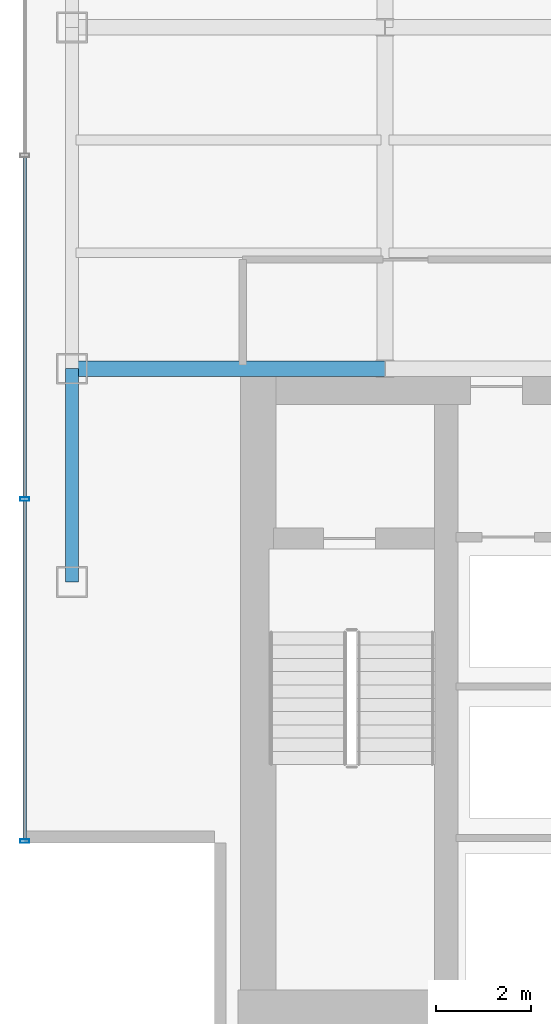
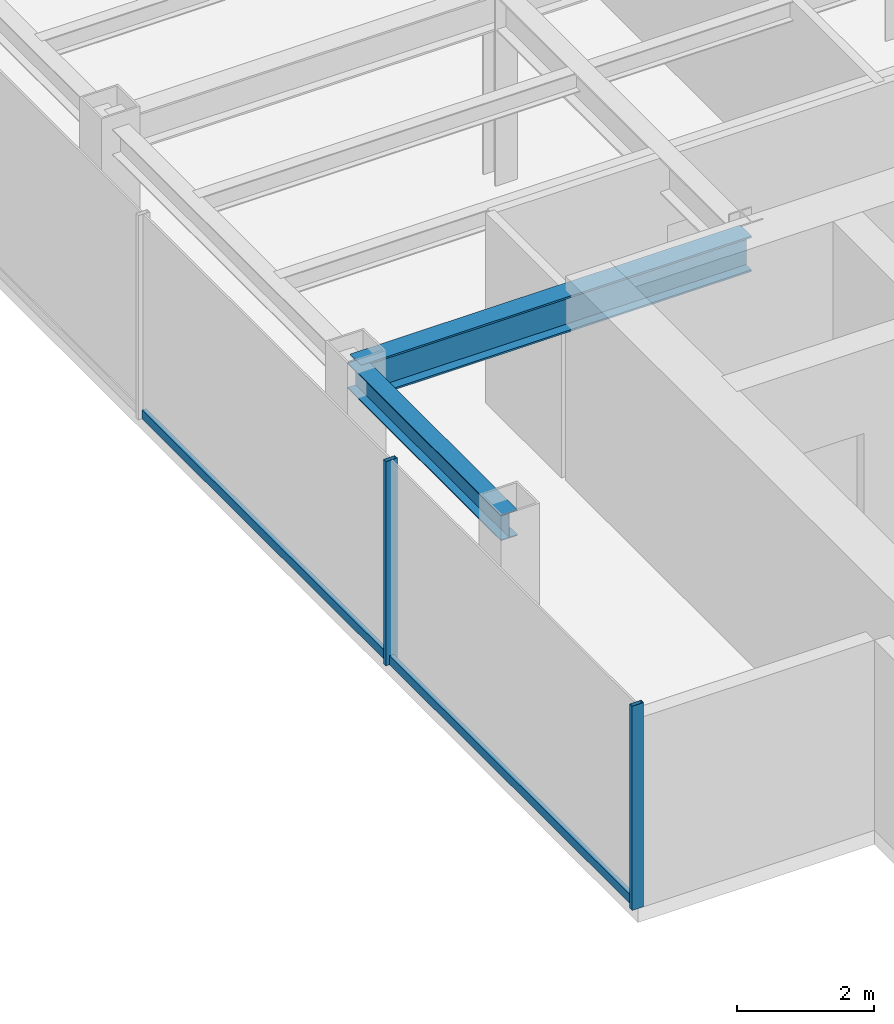
# One storey, part 3 of 25: 4 members, 2 beams, 1 element without a shape of its own.
"""IFC4 building model written with IfcOpenShell, lengths in metres."""

import ifcopenshell
import ifcopenshell.guid

model = None  # the IFC model being written
_history = None  # IfcOwnerHistory: only IFC2X3 demands one
_inside = {}  # id of a spatial element -> (the spatial element, [elements in it])
_under = {}  # id of a project, library or spatial element -> (it, [spatial elements below it])
_declared = {}  # id of a project -> (the project, [libraries it declares])
_typed = {}  # id of a type object -> (the type object, [elements of that type])
_made_of = {}  # id of a material, layer set ... -> (it, [elements and type objects made of it])


def new_model(schema):
    """Start an empty IFC model of exactly this schema.

    Asked for "IFC4X3", IfcOpenShell would pick the latest addendum, in which some entities
    have other attributes; the version numbers below select the first issue.
    IFC2X3 requires an IfcOwnerHistory on every rooted entity: one is made here for all.
    """
    global model, _history
    if schema == "IFC4X3":
        model = ifcopenshell.file(schema_version=(4, 3, 0, 0))
    else:
        model = ifcopenshell.file(schema=schema)
    _inside.clear()
    _under.clear()
    _declared.clear()
    _typed.clear()
    _made_of.clear()
    _history = None
    if model.schema == "IFC2X3":
        org = make("IfcOrganization", Name="unknown")
        user = make(
            "IfcPersonAndOrganization",
            ThePerson=make("IfcPerson", FamilyName="unknown"),
            TheOrganization=org,
        )
        app = make(
            "IfcApplication",
            ApplicationDeveloper=org,
            Version="unknown",
            ApplicationFullName="unknown",
            ApplicationIdentifier="unknown",
        )
        _history = make(
            "IfcOwnerHistory",
            OwningUser=user,
            OwningApplication=app,
            ChangeAction="ADDED",
            CreationDate=0,
        )
    return model


def make(cls, **values):
    """One entity of the class cls with the attributes given. An attribute that is None is left unset."""
    return model.create_entity(
        cls, **{name: value for name, value in values.items() if value is not None}
    )


def rooted(cls, **values):
    """An entity with a GlobalId (a new one), such as an element, a storey or a relation."""
    return make(cls, GlobalId=ifcopenshell.guid.new(), OwnerHistory=_history, **values)


def si_unit(unit_type, name, prefix=None):
    """IfcSIUnit, for example si_unit("LENGTHUNIT", "METRE", prefix="MILLI")."""
    return make("IfcSIUnit", UnitType=unit_type, Prefix=prefix, Name=name)


def derived_unit(unit_type, elements):
    """IfcDerivedUnit: a product of units, each with its exponent."""
    return make(
        "IfcDerivedUnit",
        Elements=[
            make("IfcDerivedUnitElement", Unit=unit, Exponent=power)
            for unit, power in elements
        ],
        UnitType=unit_type,
    )


def assignment(units):
    """IfcUnitAssignment: the units of a project."""
    return None if units is None else make("IfcUnitAssignment", Units=units)


def point(xyz):
    """IfcCartesianPoint."""
    return None if xyz is None else make("IfcCartesianPoint", Coordinates=xyz)


def direction(xyz):
    """IfcDirection."""
    return None if xyz is None else make("IfcDirection", DirectionRatios=xyz)


def frame(location, z_axis=None, x_axis=None):
    """IfcAxis2Placement3D, a coordinate frame: its origin and axes. An axis left out is left unset."""
    return make(
        "IfcAxis2Placement3D",
        Location=point(location),
        Axis=direction(z_axis),
        RefDirection=direction(x_axis),
    )


def frame_2d(location, x_axis=None):
    """IfcAxis2Placement2D, a coordinate frame in the plane: its origin and x axis."""
    return make(
        "IfcAxis2Placement2D", Location=point(location), RefDirection=direction(x_axis)
    )


def origin():
    """The frame at (0, 0, 0) with its axes left unset."""
    return frame((0.0, 0.0, 0.0))


def origin_2d():
    """The frame at (0, 0) in the plane with its x axis left unset."""
    return frame_2d((0.0, 0.0))


def place(relative_to, where):
    """IfcLocalPlacement: puts the frame where relative to a parent placement (None: the world)."""
    return make(
        "IfcLocalPlacement", PlacementRelTo=relative_to, RelativePlacement=where
    )


def context(
    kind, dimensions, precision=None, world=None, true_north=None, identifier=None
):
    """IfcGeometricRepresentationContext, for example the 3D "Model" context."""
    return make(
        "IfcGeometricRepresentationContext",
        ContextIdentifier=identifier,
        ContextType=kind,
        CoordinateSpaceDimension=dimensions,
        Precision=precision,
        WorldCoordinateSystem=world,
        TrueNorth=true_north,
    )


def subcontext(parent, identifier, kind, view, scale=None):
    """IfcGeometricRepresentationSubContext, for example "Body" below "Model"."""
    return make(
        "IfcGeometricRepresentationSubContext",
        ContextIdentifier=identifier,
        ContextType=kind,
        ParentContext=parent,
        TargetScale=scale,
        TargetView=view,
    )


def project(units=None, contexts=None):
    """IfcProject with its units and contexts."""
    return rooted(
        "IfcProject",
        Name="project",
        RepresentationContexts=contexts,
        UnitsInContext=assignment(units),
    )


def spatial(cls, under=None, at=None, **own):
    """A site, building, storey or space (cls), placed at a placement, below another one or the project."""
    s = rooted(cls, ObjectPlacement=at, **own)
    if under is not None:
        _under.setdefault(under.id(), (under, []))[1].append(s)
    return s


def profile(cls, at=None, kind="AREA", **sizes):
    """A parametric profile (cls). Its sizes go by their IFC names, for example OverallWidth=200.0."""
    return make(cls, ProfileType=kind, Position=at, **sizes)


def hollow_rectangle(**sizes):
    """IfcRectangleHollowProfileDef."""
    return profile("IfcRectangleHollowProfileDef", **sizes)


def i_section(**sizes):
    """IfcIShapeProfileDef."""
    return profile("IfcIShapeProfileDef", **sizes)


def extrude(swept, where, along, depth):
    """IfcExtrudedAreaSolid: the profile swept, set in the frame where, extruded along a direction by depth."""
    return make(
        "IfcExtrudedAreaSolid",
        SweptArea=swept,
        Position=where,
        ExtrudedDirection=direction(along),
        Depth=depth,
    )


def shape(context_of_items, identifier, shape_type, items):
    """IfcShapeRepresentation: the items that make up one representation, for example the "Body"."""
    return make(
        "IfcShapeRepresentation",
        ContextOfItems=context_of_items,
        RepresentationIdentifier=identifier,
        RepresentationType=shape_type,
        Items=items,
    )


def source(mapping_origin, context_of_items, identifier, shape_type, items):
    """IfcRepresentationMap: a shape defined once, which mapped items show again and again."""
    return make(
        "IfcRepresentationMap",
        MappingOrigin=mapping_origin,
        MappedRepresentation=shape(context_of_items, identifier, shape_type, items),
    )


def transform(
    local_origin,
    x_axis=None,
    y_axis=None,
    z_axis=None,
    scale=None,
    scale2=None,
    scale3=None,
    uniform=True,
):
    """IfcCartesianTransformationOperator3D, or its non-uniform kind. x_axis, y_axis, z_axis: its Axis1, 2, 3."""
    if uniform:
        return make(
            "IfcCartesianTransformationOperator3D",
            Axis1=direction(x_axis),
            Axis2=direction(y_axis),
            LocalOrigin=point(local_origin),
            Scale=scale,
            Axis3=direction(z_axis),
        )
    return make(
        "IfcCartesianTransformationOperator3DnonUniform",
        Axis1=direction(x_axis),
        Axis2=direction(y_axis),
        LocalOrigin=point(local_origin),
        Scale=scale,
        Axis3=direction(z_axis),
        Scale2=scale2,
        Scale3=scale3,
    )


def mapped(mapping_source, mapping_target):
    """IfcMappedItem: shows the shape of a source again, moved by a transform."""
    return make(
        "IfcMappedItem", MappingSource=mapping_source, MappingTarget=mapping_target
    )


def material(Name=None, Category=None):
    """IfcMaterial."""
    return make("IfcMaterial", Name=Name, Category=Category)


def material_profile(
    of_material, cross_section, Name=None, Category=None, Priority=None
):
    """IfcMaterialProfile: a cross section and its material."""
    return make(
        "IfcMaterialProfile",
        Name=Name,
        Material=of_material,
        Profile=cross_section,
        Priority=Priority,
        Category=Category,
    )


def profile_set(profiles, Name=None, composite=None):
    """IfcMaterialProfileSet."""
    return make(
        "IfcMaterialProfileSet",
        Name=Name,
        MaterialProfiles=profiles,
        CompositeProfile=composite,
    )


def made_of(thing, what):
    """Note that an element or type object is made of a material, layer set ...; save() writes the relation."""
    if what is not None:
        _made_of.setdefault(what.id(), (what, []))[1].append(thing)
    return thing


def type_object(cls, material=None, **own):
    """A type object (cls), such as IfcWallType, which elements share."""
    return made_of(rooted(cls, **own), material)


def element(
    cls,
    number,
    at=None,
    inside=None,
    cuts=None,
    type_object=None,
    material=None,
    context=None,
    identifier="Body",
    shape_type=None,
    held_by="IfcProductDefinitionShape",
    body=None,
    shapes=None,
    **own,
):
    """One element of the class cls, such as IfcWall. Its Tag is "e" and its number.

    at: its placement. inside: the storey or other place that contains it. cuts: it is an
    opening in that element (IfcRelVoidsElement). A single representation is given by context,
    identifier, shape_type and body (its items); several are given by shapes. held_by: the class
    of the entity that holds the representations. save() writes the other relations.
    """
    e = rooted(cls, Tag="e%d" % number, ObjectPlacement=at, **own)
    if body is not None:
        shapes = [shape(context, identifier, shape_type, body)]
    if shapes is not None:
        e.Representation = make(held_by, Representations=shapes)
    if inside is not None:
        _inside.setdefault(inside.id(), (inside, []))[1].append(e)
    if cuts is not None:
        rooted(
            "IfcRelVoidsElement", RelatingBuildingElement=cuts, RelatedOpeningElement=e
        )
    if type_object is not None:
        _typed.setdefault(type_object.id(), (type_object, []))[1].append(e)
    return made_of(e, material)


def aggregate(whole, parts):
    """IfcRelAggregates: a whole, such as a stair, and the parts it consists of."""
    return rooted("IfcRelAggregates", RelatingObject=whole, RelatedObjects=parts)


def save(model, path):
    """Write the relations noted so far, then the file.

    IfcRelAggregates (storeys below a building ...), IfcRelContainedInSpatialStructure (elements
    in a storey), IfcRelDefinesByType, IfcRelAssociatesMaterial and IfcRelDeclares: one each for
    every whole, place, type object, material and project.
    """
    for whole, parts in _under.values():
        aggregate(whole, parts)
    for where, things in _inside.values():
        rooted(
            "IfcRelContainedInSpatialStructure",
            RelatedElements=things,
            RelatingStructure=where,
        )
    for kind, things in _typed.values():
        rooted("IfcRelDefinesByType", RelatedObjects=things, RelatingType=kind)
    for what, things in _made_of.values():
        rooted("IfcRelAssociatesMaterial", RelatedObjects=things, RelatingMaterial=what)
    for by, libraries in _declared.values():
        rooted("IfcRelDeclares", RelatingContext=by, RelatedDefinitions=libraries)
    model.write(path)


model = new_model("IFC4")

# Units and contexts
model_context = context("Model", 3, precision=1e-05, world=origin(), true_north=direction((0.0, 1.0)))
body_context = subcontext(model_context, "Body", "Model", "MODEL_VIEW")
ifc_project = project(units=[si_unit("LENGTHUNIT", "METRE"), si_unit("AREAUNIT", "SQUARE_METRE"), si_unit("VOLUMEUNIT", "CUBIC_METRE"), si_unit("PLANEANGLEUNIT", "RADIAN"), si_unit("MASSUNIT", "GRAM", prefix="KILO"), derived_unit("THERMALTRANSMITTANCEUNIT", [(si_unit("POWERUNIT", "WATT"), 1), (si_unit("LENGTHUNIT", "METRE"), -2), (si_unit("THERMODYNAMICTEMPERATUREUNIT", "KELVIN"), -1)])], contexts=[model_context])

# Site, building, storey
site_placement = place(None, origin())
site = spatial("IfcSite", under=ifc_project, at=site_placement, CompositionType="ELEMENT")
building_placement = place(site_placement, origin())
building = spatial("IfcBuilding", under=site, at=building_placement, Name="Skarnbrae Concourse Arena and Tower", CompositionType="ELEMENT")
storey_placement = place(building_placement, frame((0.0, 0.0, 158.85009765625)))
storey = spatial("IfcBuildingStorey", under=building, at=storey_placement, Name="L40", CompositionType="ELEMENT", Elevation=158.85009765625)

# Beams
ifc_material_1 = material(Name="Steel CSA G40.21 350W", Category="steel")
ifc_material_profile_1 = material_profile(ifc_material_1, i_section(OverallWidth=0.3291015625, OverallDepth=0.635009765625, WebThickness=0.017822265625, FlangeThickness=0.031005859375, at=origin_2d()), Name="W610X241")
ifc_profile_set_1 = profile_set([ifc_material_profile_1], Name="Steel CSA G40.21 350W")
beam_type_1 = type_object("IfcBeamType", Name="BM-GIRD-W610X241", PredefinedType="BEAM", material=ifc_profile_set_1)
shared_shape_1 = source(origin(), body_context, "Body", "SweptSolid", [
    extrude(i_section(OverallWidth=0.3291015625, OverallDepth=0.635009765625, WebThickness=0.017822265625, FlangeThickness=0.031005859375, at=origin_2d()), origin(), (0.0, 0.0, 1.0), 6.60009765625),
])
beam_1_placement = place(storey_placement, frame((1.0, 14.0, 3.08251953125), z_axis=(1.0, 0.0, 0.0), x_axis=(0.0, 1.0, 0.0)))
element("IfcBeam", 1, at=beam_1_placement, inside=storey, type_object=beam_type_1, Name="L40 Primary E-W girder Y14.0-1", PredefinedType="BEAM", context=body_context, shape_type="MappedRepresentation", body=[
    mapped(shared_shape_1, transform((0.0, 0.0, 0.0))),
])
ifc_material_profile_2 = material_profile(ifc_material_1, i_section(OverallWidth=0.280029296875, OverallDepth=0.462890625, WebThickness=0.0107421875, FlangeThickness=0.017333984375, at=origin_2d()), Name="W460X113")
ifc_profile_set_2 = profile_set([ifc_material_profile_2], Name="Steel CSA G40.21 350W")
beam_type_2 = type_object("IfcBeamType", Name="BM-SPAN-W460X113", PredefinedType="SPANDREL", material=ifc_profile_set_2)
shared_shape_2 = source(origin(), body_context, "Body", "SweptSolid", [
    extrude(i_section(OverallWidth=0.280029296875, OverallDepth=0.462890625, WebThickness=0.0107421875, FlangeThickness=0.017333984375, at=origin_2d()), origin(), (0.0, 0.0, 1.0), 4.5),
])
beam_2_placement = place(storey_placement, frame((1.0, 9.5, 3.16845703125), z_axis=(0.0, 1.0, 0.0), x_axis=(-1.0, 0.0, 0.0)))
element("IfcBeam", 2, at=beam_2_placement, inside=storey, type_object=beam_type_2, Name="L40 Perimeter spandrel X1.0-1", PredefinedType="SPANDREL", context=body_context, shape_type="MappedRepresentation", body=[
    mapped(shared_shape_2, transform((0.0, 0.0, 0.0))),
])

# Curtain wall, members
ifc_material_2 = material(Name="Bronze anodised aluminium 6063-T6", Category="aluminium")
curtain_wall_type = type_object("IfcCurtainWallType", Name="CW-SYS-04-MIDZONE", PredefinedType="USERDEFINED", material=ifc_material_2)
curtain_wall_placement = place(storey_placement, origin())
curtain_wall = element("IfcCurtainWall", 3, at=curtain_wall_placement, inside=storey, type_object=curtain_wall_type, Name="L40 Unitised curtain wall CW-L40-E18", ObjectType="UNITISED CURTAIN WALL", PredefinedType="USERDEFINED")
ifc_material_profile_3 = material_profile(ifc_material_2, hollow_rectangle(XDim=0.074951171875, YDim=0.195068359375, WallThickness=0.00439453125, at=origin_2d()), Name="ALU-MULL-75X195")
ifc_profile_set_3 = profile_set([ifc_material_profile_3], Name="Bronze anodised aluminium 6063-T6")
member_type_1 = type_object("IfcMemberType", Name="CWM-CW-04", PredefinedType="MULLION", material=ifc_profile_set_3)
shared_shape_3 = source(origin(), body_context, "Body", "SweptSolid", [
    extrude(hollow_rectangle(XDim=0.074951171875, YDim=0.195068359375, WallThickness=0.00439453125, at=origin_2d()), origin(), (0.0, 0.0, 1.0), 3.64990234375),
])
member_1_placement = place(storey_placement, frame((0.0, 11.25, 0.0), z_axis=(0.0, 0.0, 1.0), x_axis=(0.0, -1.0, 0.0)))
member_1 = element("IfcMember", 4, at=member_1_placement, type_object=member_type_1, Name="CW-L40-E18 Mullion 4", PredefinedType="MULLION", context=body_context, shape_type="MappedRepresentation", body=[
    mapped(shared_shape_3, transform((0.0, 0.0, 0.0))),
])
member_2_placement = place(storey_placement, frame((0.0, 4.03759765625, 0.0), z_axis=(0.0, 0.0, 1.0), x_axis=(0.0, -1.0, 0.0)))
member_2 = element("IfcMember", 5, at=member_2_placement, type_object=member_type_1, Name="CW-L40-E18 Mullion 5", PredefinedType="MULLION", context=body_context, shape_type="MappedRepresentation", body=[
    mapped(shared_shape_3, transform((0.0, 0.0, 0.0))),
])
ifc_material_profile_4 = material_profile(ifc_material_2, hollow_rectangle(XDim=0.074951171875, YDim=0.159912109375, WallThickness=0.00439453125, at=origin_2d()), Name="ALU-TRAN-75X160")
ifc_profile_set_4 = profile_set([ifc_material_profile_4], Name="Bronze anodised aluminium 6063-T6")
member_type_2 = type_object("IfcMemberType", Name="CWT-CW-04", PredefinedType="USERDEFINED", material=ifc_profile_set_4)
shared_shape_4 = source(origin(), body_context, "Body", "SweptSolid", [
    extrude(hollow_rectangle(XDim=0.074951171875, YDim=0.159912109375, WallThickness=0.00439453125, at=origin_2d()), origin(), (0.0, 0.0, 1.0), 7.137451171875),
])
member_3_placement = place(storey_placement, frame((0.0, 11.21240234375, 0.079833984375), z_axis=(0.0, -1.0, 0.0), x_axis=(1.0, 0.0, 0.0)))
member_3 = element("IfcMember", 6, at=member_3_placement, type_object=member_type_2, Name="CW-L40-E18 Transom 4", ObjectType="TRANSOM", PredefinedType="USERDEFINED", context=body_context, shape_type="MappedRepresentation", body=[
    mapped(shared_shape_4, transform((0.0, 0.0, 0.0))),
])
shared_shape_5 = source(origin(), body_context, "Body", "SweptSolid", [
    extrude(hollow_rectangle(XDim=0.074951171875, YDim=0.159912109375, WallThickness=0.00439453125, at=origin_2d()), origin(), (0.0, 0.0, 1.0), 7.1748046875),
])
member_4_placement = place(storey_placement, frame((0.0, 18.46240234375, 0.079833984375), z_axis=(0.0, -1.0, 0.0), x_axis=(1.0, 0.0, 0.0)))
member_4 = element("IfcMember", 7, at=member_4_placement, type_object=member_type_2, Name="CW-L40-E18 Transom 3", ObjectType="TRANSOM", PredefinedType="USERDEFINED", context=body_context, shape_type="MappedRepresentation", body=[
    mapped(shared_shape_5, transform((0.0, 0.0, 0.0))),
])
aggregate(curtain_wall, [member_1, member_2, member_4, member_3])

save(model, "model.ifc")
